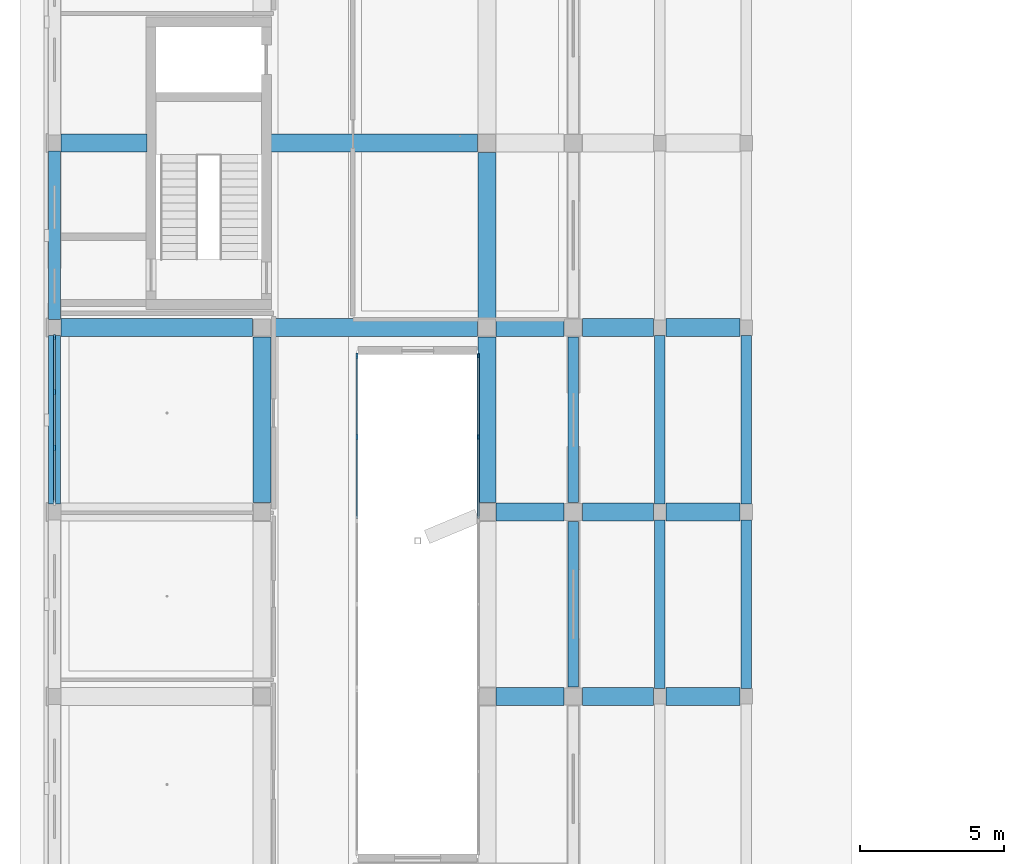
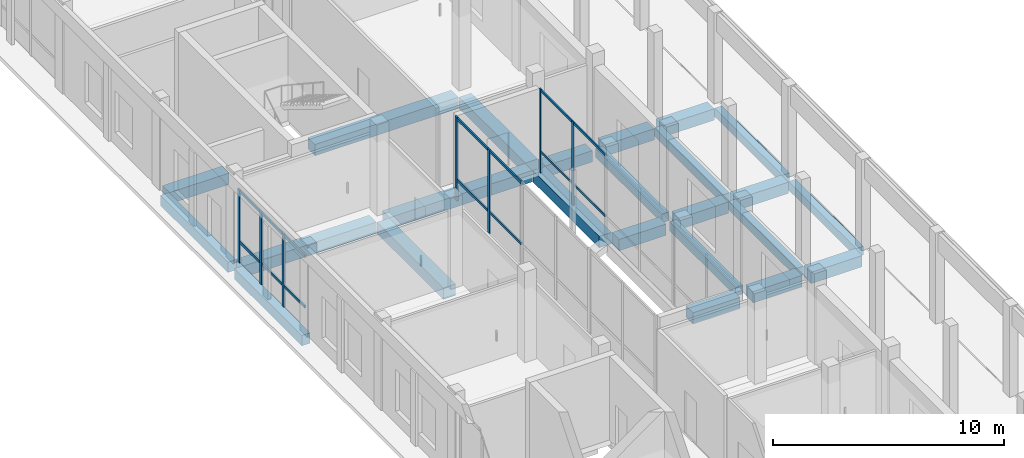
# One storey, part 20 of 88: 24 beams, 13 members, 3 elements without a shape of their own.
"""IFC4 building model written with IfcOpenShell, lengths in metres."""

from ifc_helpers import new_model, si_unit, derived_unit, direction, frame, origin, origin_2d, place, context, subcontext, project, spatial, rectangle, extrude, material, material_profile, profile_set, type_object, element, aggregate, save


model = new_model("IFC4")

# Units and contexts
model_context = context("Model", 3, precision=1e-05, world=origin(), true_north=direction((0.0, 1.0)))
body_context = subcontext(model_context, "Body", "Model", "MODEL_VIEW")
ifc_project = project(units=[si_unit("LENGTHUNIT", "METRE"), si_unit("AREAUNIT", "SQUARE_METRE"), si_unit("VOLUMEUNIT", "CUBIC_METRE"), si_unit("PLANEANGLEUNIT", "RADIAN"), si_unit("MASSUNIT", "GRAM", prefix="KILO"), derived_unit("THERMALTRANSMITTANCEUNIT", [(si_unit("POWERUNIT", "WATT"), 1), (si_unit("LENGTHUNIT", "METRE"), -2), (si_unit("THERMODYNAMICTEMPERATUREUNIT", "KELVIN"), -1)])], contexts=[model_context])

# Site, building, storey
site_placement = place(None, origin())
site = spatial("IfcSite", under=ifc_project, at=site_placement, CompositionType="ELEMENT")
building_placement = place(site_placement, origin())
building = spatial("IfcBuilding", under=site, at=building_placement, Name="Braskholm Square Health Centre", CompositionType="ELEMENT")
storey_placement = place(building_placement, origin())
storey = spatial("IfcBuildingStorey", under=building, at=storey_placement, Name="L01", CompositionType="ELEMENT", Elevation=0.0)

# Curtain wall, members
ifc_material_1 = material(Name="Low-E triple insulating glass (VLT 0.64)", Category="glass")
curtain_wall_type_1 = type_object("IfcCurtainWallType", Name="UnitisedCurtainWall5400x4400", PredefinedType="NOTDEFINED", material=ifc_material_1)
curtain_wall_1_placement = place(storey_placement, origin())
curtain_wall_1 = element("IfcCurtainWall", 1, at=curtain_wall_1_placement, inside=storey, type_object=curtain_wall_type_1, Name="WC1 Court E unitised curtain wall CW-L01-0254", PredefinedType="NOTDEFINED")
ifc_material_2 = material(Name="Architectural bronze anodised aluminium", Category="aluminium")
ifc_material_profile_1 = material_profile(ifc_material_2, rectangle(XDim=0.06494140625, YDim=0.14990234375, at=origin_2d()), Name="ALU-65X150")
ifc_profile_set_1 = profile_set([ifc_material_profile_1], Name="Architectural bronze anodised aluminium")
member_type_1 = type_object("IfcMemberType", Name="CurtainWallMullion65x150", PredefinedType="MULLION", material=ifc_profile_set_1)
member_1_placement = place(storey_placement, frame((18.89990234375, 48.025634765625, 0.0), z_axis=(0.0, 0.0, 1.0), x_axis=(1.0, 0.0, 0.0)))
member_1 = element("IfcMember", 2, at=member_1_placement, type_object=member_type_1, Name="CW-L01-0254 vertical mullion 1", PredefinedType="MULLION", context=body_context, shape_type="SweptSolid", body=[
    extrude(rectangle(XDim=0.06494140625, YDim=0.14990234375, at=origin_2d()), origin(), (0.0, 0.0, 1.0), 4.419921875),
])
member_2_placement = place(storey_placement, frame((18.89990234375, 45.198974609375, 0.0), z_axis=(0.0, 0.0, 1.0), x_axis=(1.0, 0.0, 0.0)))
member_2 = element("IfcMember", 3, at=member_2_placement, type_object=member_type_1, Name="CW-L01-0254 vertical mullion 2", PredefinedType="MULLION", context=body_context, shape_type="SweptSolid", body=[
    extrude(rectangle(XDim=0.06494140625, YDim=0.14990234375, at=origin_2d()), origin(), (0.0, 0.0, 1.0), 4.419921875),
])

curtain_wall_type_2 = type_object("IfcCurtainWallType", Name="UnitisedCurtainWall6200x3800", PredefinedType="NOTDEFINED", material=ifc_material_1)
curtain_wall_2_placement = place(storey_placement, origin())
curtain_wall_2 = element("IfcCurtainWall", 4, at=curtain_wall_2_placement, inside=storey, type_object=curtain_wall_type_2, Name="West Storefront unitised curtain wall CW-L01-0003", PredefinedType="NOTDEFINED")
ifc_material_profile_2 = material_profile(ifc_material_2, rectangle(XDim=0.074951171875, YDim=0.179931640625, at=origin_2d()), Name="ALU-75X180")
ifc_profile_set_2 = profile_set([ifc_material_profile_2], Name="Architectural bronze anodised aluminium")
member_type_2 = type_object("IfcMemberType", Name="CurtainWallMullion75x180", PredefinedType="MULLION", material=ifc_profile_set_2)
member_3_placement = place(storey_placement, frame((4.199951171875, 48.675048828125, 0.0), z_axis=(0.0, 0.0, 1.0), x_axis=(1.0, 0.0, 0.0)))
member_3 = element("IfcMember", 5, at=member_3_placement, type_object=member_type_2, Name="CW-L01-0003 vertical mullion 1", PredefinedType="MULLION", context=body_context, shape_type="SweptSolid", body=[
    extrude(rectangle(XDim=0.074951171875, YDim=0.179931640625, at=origin_2d()), origin(), (0.0, 0.0, 1.0), 3.8701171875),
])
member_4_placement = place(storey_placement, frame((4.199951171875, 46.77001953125, 0.0), z_axis=(0.0, 0.0, 1.0), x_axis=(1.0, 0.0, 0.0)))
member_4 = element("IfcMember", 6, at=member_4_placement, type_object=member_type_2, Name="CW-L01-0003 vertical mullion 2", PredefinedType="MULLION", context=body_context, shape_type="SweptSolid", body=[
    extrude(rectangle(XDim=0.074951171875, YDim=0.179931640625, at=origin_2d()), origin(), (0.0, 0.0, 1.0), 3.8701171875),
])
member_5_placement = place(storey_placement, frame((4.199951171875, 44.830078125, 0.0), z_axis=(0.0, 0.0, 1.0), x_axis=(1.0, 0.0, 0.0)))
member_5 = element("IfcMember", 7, at=member_5_placement, type_object=member_type_2, Name="CW-L01-0003 vertical mullion 3", PredefinedType="MULLION", context=body_context, shape_type="SweptSolid", body=[
    extrude(rectangle(XDim=0.074951171875, YDim=0.179931640625, at=origin_2d()), origin(), (0.0, 0.0, 1.0), 3.8701171875),
])

curtain_wall_3_placement = place(storey_placement, origin())
curtain_wall_3 = element("IfcCurtainWall", 8, at=curtain_wall_3_placement, inside=storey, type_object=curtain_wall_type_1, Name="WC1 Court W unitised curtain wall CW-L01-0253", PredefinedType="NOTDEFINED")
member_6_placement = place(storey_placement, frame((14.699951171875, 45.198974609375, 0.0), z_axis=(0.0, 0.0, 1.0), x_axis=(1.0, 0.0, 0.0)))
member_6 = element("IfcMember", 9, at=member_6_placement, type_object=member_type_2, Name="CW-L01-0253 vertical mullion 2", PredefinedType="MULLION", context=body_context, shape_type="SweptSolid", body=[
    extrude(rectangle(XDim=0.074951171875, YDim=0.179931640625, at=origin_2d()), origin(), (0.0, 0.0, 1.0), 4.419921875),
])
member_7_placement = place(storey_placement, frame((14.699951171875, 48.025634765625, 0.0), z_axis=(0.0, 0.0, 1.0), x_axis=(1.0, 0.0, 0.0)))
member_7 = element("IfcMember", 10, at=member_7_placement, type_object=member_type_2, Name="CW-L01-0253 vertical mullion 3", PredefinedType="MULLION", context=body_context, shape_type="SweptSolid", body=[
    extrude(rectangle(XDim=0.074951171875, YDim=0.179931640625, at=origin_2d()), origin(), (0.0, 0.0, 1.0), 4.419921875),
])

# Member
ifc_material_profile_3 = material_profile(ifc_material_2, rectangle(XDim=0.06494140625, YDim=0.1201171875, at=origin_2d()), Name="ALU-65X120")
ifc_profile_set_3 = profile_set([ifc_material_profile_3], Name="Architectural bronze anodised aluminium")
member_type_3 = type_object("IfcMemberType", Name="CurtainWallTransom65x120", PredefinedType="USERDEFINED", material=ifc_profile_set_3)
member_8_placement = place(storey_placement, frame((18.89990234375, 48.014892578125, 1.1201171875), z_axis=(0.0, -1.0, 0.0), x_axis=(1.0, 0.0, 0.0)))
member_8 = element("IfcMember", 11, at=member_8_placement, type_object=member_type_3, Name="CW-L01-0254 horizontal transom 1", ObjectType="TRANSOM", PredefinedType="USERDEFINED", context=body_context, shape_type="SweptSolid", body=[
    extrude(rectangle(XDim=0.06494140625, YDim=0.1201171875, at=origin_2d()), origin(), (0.0, 0.0, 1.0), 5.6318359375),
])

member_9_placement = place(storey_placement, frame((18.89990234375, 48.014892578125, 4.35009765625), z_axis=(0.0, -1.0, 0.0), x_axis=(1.0, 0.0, 0.0)))
member_9 = element("IfcMember", 12, at=member_9_placement, type_object=member_type_3, Name="CW-L01-0254 horizontal transom 2", ObjectType="TRANSOM", PredefinedType="USERDEFINED", context=body_context, shape_type="SweptSolid", body=[
    extrude(rectangle(XDim=0.06494140625, YDim=0.1201171875, at=origin_2d()), origin(), (0.0, 0.0, 1.0), 5.6318359375),
])

aggregate(curtain_wall_1, [member_1, member_2, member_8, member_9])

ifc_material_profile_4 = material_profile(ifc_material_2, rectangle(XDim=0.074951171875, YDim=0.139892578125, at=origin_2d()), Name="ALU-75X140")
ifc_profile_set_4 = profile_set([ifc_material_profile_4], Name="Architectural bronze anodised aluminium")
member_type_4 = type_object("IfcMemberType", Name="CurtainWallTransom75x140", PredefinedType="USERDEFINED", material=ifc_profile_set_4)
member_10_placement = place(storey_placement, frame((4.199951171875, 48.6650390625, 1.1201171875), z_axis=(0.0, -1.0, 0.0), x_axis=(1.0, 0.0, 0.0)))
member_10 = element("IfcMember", 13, at=member_10_placement, type_object=member_type_4, Name="CW-L01-0003 horizontal transom 1", ObjectType="TRANSOM", PredefinedType="USERDEFINED", context=body_context, shape_type="SweptSolid", body=[
    extrude(rectangle(XDim=0.074951171875, YDim=0.139892578125, at=origin_2d()), origin(), (0.0, 0.0, 1.0), 5.72998046875),
])

member_11_placement = place(storey_placement, frame((4.199951171875, 48.6650390625, 3.800048828125), z_axis=(0.0, -1.0, 0.0), x_axis=(1.0, 0.0, 0.0)))
member_11 = element("IfcMember", 14, at=member_11_placement, type_object=member_type_4, Name="CW-L01-0003 horizontal transom 2", ObjectType="TRANSOM", PredefinedType="USERDEFINED", context=body_context, shape_type="SweptSolid", body=[
    extrude(rectangle(XDim=0.074951171875, YDim=0.139892578125, at=origin_2d()), origin(), (0.0, 0.0, 1.0), 5.72998046875),
])

aggregate(curtain_wall_2, [member_3, member_4, member_5, member_10, member_11])

member_12_placement = place(storey_placement, frame((14.699951171875, 42.383056640625, 1.1201171875), z_axis=(0.0, 1.0, 0.0), x_axis=(-1.0, 0.0, 0.0)))
member_12 = element("IfcMember", 15, at=member_12_placement, type_object=member_type_4, Name="CW-L01-0253 horizontal transom 1", ObjectType="TRANSOM", PredefinedType="USERDEFINED", context=body_context, shape_type="SweptSolid", body=[
    extrude(rectangle(XDim=0.074951171875, YDim=0.139892578125, at=origin_2d()), origin(), (0.0, 0.0, 1.0), 5.6318359375),
])

member_13_placement = place(storey_placement, frame((14.699951171875, 42.383056640625, 4.35009765625), z_axis=(0.0, 1.0, 0.0), x_axis=(-1.0, 0.0, 0.0)))
member_13 = element("IfcMember", 16, at=member_13_placement, type_object=member_type_4, Name="CW-L01-0253 horizontal transom 2", ObjectType="TRANSOM", PredefinedType="USERDEFINED", context=body_context, shape_type="SweptSolid", body=[
    extrude(rectangle(XDim=0.074951171875, YDim=0.139892578125, at=origin_2d()), origin(), (0.0, 0.0, 1.0), 5.6318359375),
])

aggregate(curtain_wall_3, [member_6, member_7, member_12, member_13])

# Beams
ifc_material_3 = material(Name="Concrete C40/50 (f'c = 40 MPa)", Category="concrete")
ifc_material_profile_5 = material_profile(ifc_material_3, rectangle(XDim=0.6201171875, YDim=0.60009765625, at=origin_2d()), Name="RCB-620X600")
ifc_profile_set_5 = profile_set([ifc_material_profile_5], Name="Concrete C40/50 (f'c = 40 MPa)")
beam_type_1 = type_object("IfcBeamType", Name="PrimarySubstructureBeam620x600", PredefinedType="BEAM", material=ifc_profile_set_5)
for number, where, z_axis, x_axis, name in (
    (17, (11.39990234375, 42.925048828125, -0.60009765625), (0.0, 1.0, 0.0), (-1.0, 0.0, 0.0), "Beam 2/G-H L01"),
    (18, (19.199951171875, 42.925048828125, -0.60009765625), (0.0, 1.0, 0.0), (-1.0, 0.0, 0.0), "Beam 3/G-H L01"),
    (19, (19.199951171875, 49.324951171875, -0.60009765625), (0.0, 1.0, 0.0), (-1.0, 0.0, 0.0), "Beam 3/H-J L01"),
):
    element("IfcBeam", number, at=place(storey_placement, frame(where, z_axis=z_axis, x_axis=x_axis)), inside=storey, type_object=beam_type_1, Name=name, PredefinedType="BEAM", context=body_context, shape_type="SweptSolid", body=[
        extrude(rectangle(XDim=0.6201171875, YDim=0.60009765625, at=origin_2d()), origin(), (0.0, 0.0, 1.0), 5.75),
    ])
beam_1_placement = place(storey_placement, frame((19.52490234375, 36.199951171875, -0.60009765625), z_axis=(1.0, 0.0, 0.0), x_axis=(0.0, 1.0, 0.0)))
element("IfcBeam", 20, at=beam_1_placement, inside=storey, type_object=beam_type_1, Name="Beam 3-4/F L01", PredefinedType="BEAM", context=body_context, shape_type="SweptSolid", body=[
    extrude(rectangle(XDim=0.6201171875, YDim=0.60009765625, at=origin_2d()), origin(), (0.0, 0.0, 1.0), 2.35009765625),
])
beam_2_placement = place(storey_placement, frame((22.52490234375, 36.199951171875, -0.52490234375), z_axis=(1.0, 0.0, 0.0), x_axis=(0.0, 1.0, 0.0)))
element("IfcBeam", 21, at=beam_2_placement, inside=storey, type_object=beam_type_1, Name="Beam 4-5/F L01", PredefinedType="BEAM", context=body_context, shape_type="SweptSolid", body=[
    extrude(rectangle(XDim=0.6201171875, YDim=0.60009765625, at=origin_2d()), origin(), (0.0, 0.0, 1.0), 2.455078125),
])
beam_3_placement = place(storey_placement, frame((25.419921875, 36.199951171875, -0.52490234375), z_axis=(1.0, 0.0, 0.0), x_axis=(0.0, 1.0, 0.0)))
element("IfcBeam", 22, at=beam_3_placement, inside=storey, type_object=beam_type_1, Name="Beam 5-6/F L01", PredefinedType="BEAM", context=body_context, shape_type="SweptSolid", body=[
    extrude(rectangle(XDim=0.6201171875, YDim=0.60009765625, at=origin_2d()), origin(), (0.0, 0.0, 1.0), 2.56005859375),
])
beam_4_placement = place(storey_placement, frame((19.52490234375, 42.60009765625, -0.60009765625), z_axis=(1.0, 0.0, 0.0), x_axis=(0.0, 1.0, 0.0)))
element("IfcBeam", 23, at=beam_4_placement, inside=storey, type_object=beam_type_1, Name="Beam 3-4/G L01", PredefinedType="BEAM", context=body_context, shape_type="SweptSolid", body=[
    extrude(rectangle(XDim=0.6201171875, YDim=0.60009765625, at=origin_2d()), origin(), (0.0, 0.0, 1.0), 2.35009765625),
])
beam_5_placement = place(storey_placement, frame((22.52490234375, 42.60009765625, -0.52490234375), z_axis=(1.0, 0.0, 0.0), x_axis=(0.0, 1.0, 0.0)))
element("IfcBeam", 24, at=beam_5_placement, inside=storey, type_object=beam_type_1, Name="Beam 4-5/G L01", PredefinedType="BEAM", context=body_context, shape_type="SweptSolid", body=[
    extrude(rectangle(XDim=0.6201171875, YDim=0.60009765625, at=origin_2d()), origin(), (0.0, 0.0, 1.0), 2.455078125),
])
beam_6_placement = place(storey_placement, frame((25.419921875, 42.60009765625, -0.52490234375), z_axis=(1.0, 0.0, 0.0), x_axis=(0.0, 1.0, 0.0)))
element("IfcBeam", 25, at=beam_6_placement, inside=storey, type_object=beam_type_1, Name="Beam 5-6/G L01", PredefinedType="BEAM", context=body_context, shape_type="SweptSolid", body=[
    extrude(rectangle(XDim=0.6201171875, YDim=0.60009765625, at=origin_2d()), origin(), (0.0, 0.0, 1.0), 2.56005859375),
])
beam_7_placement = place(storey_placement, frame((4.429931640625, 49.0, -0.60009765625), z_axis=(1.0, 0.0, 0.0), x_axis=(0.0, 1.0, 0.0)))
element("IfcBeam", 26, at=beam_7_placement, inside=storey, type_object=beam_type_1, Name="Beam 1-2/H L01", PredefinedType="BEAM", context=body_context, shape_type="SweptSolid", body=[
    extrude(rectangle(XDim=0.6201171875, YDim=0.60009765625, at=origin_2d()), origin(), (0.0, 0.0, 1.0), 6.64501953125),
])
beam_8_placement = place(storey_placement, frame((11.72509765625, 49.0, -0.60009765625), z_axis=(1.0, 0.0, 0.0), x_axis=(0.0, 1.0, 0.0)))
element("IfcBeam", 27, at=beam_8_placement, inside=storey, type_object=beam_type_1, Name="Beam 2-3/H L01", PredefinedType="BEAM", context=body_context, shape_type="SweptSolid", body=[
    extrude(rectangle(XDim=0.6201171875, YDim=0.60009765625, at=origin_2d()), origin(), (0.0, 0.0, 1.0), 7.14990234375),
])
beam_9_placement = place(storey_placement, frame((19.52490234375, 49.0, -0.60009765625), z_axis=(1.0, 0.0, 0.0), x_axis=(0.0, 1.0, 0.0)))
element("IfcBeam", 28, at=beam_9_placement, inside=storey, type_object=beam_type_1, Name="Beam 3-4/H L01", PredefinedType="BEAM", context=body_context, shape_type="SweptSolid", body=[
    extrude(rectangle(XDim=0.6201171875, YDim=0.60009765625, at=origin_2d()), origin(), (0.0, 0.0, 1.0), 2.35009765625),
])
beam_10_placement = place(storey_placement, frame((22.52490234375, 49.0, -0.52490234375), z_axis=(1.0, 0.0, 0.0), x_axis=(0.0, 1.0, 0.0)))
element("IfcBeam", 29, at=beam_10_placement, inside=storey, type_object=beam_type_1, Name="Beam 4-5/H L01", PredefinedType="BEAM", context=body_context, shape_type="SweptSolid", body=[
    extrude(rectangle(XDim=0.6201171875, YDim=0.60009765625, at=origin_2d()), origin(), (0.0, 0.0, 1.0), 2.455078125),
])
beam_11_placement = place(storey_placement, frame((25.419921875, 49.0, -0.52490234375), z_axis=(1.0, 0.0, 0.0), x_axis=(0.0, 1.0, 0.0)))
element("IfcBeam", 30, at=beam_11_placement, inside=storey, type_object=beam_type_1, Name="Beam 5-6/H L01", PredefinedType="BEAM", context=body_context, shape_type="SweptSolid", body=[
    extrude(rectangle(XDim=0.6201171875, YDim=0.60009765625, at=origin_2d()), origin(), (0.0, 0.0, 1.0), 2.56005859375),
])
beam_12_placement = place(storey_placement, frame((4.429931640625, 55.39990234375, -0.60009765625), z_axis=(1.0, 0.0, 0.0), x_axis=(0.0, 1.0, 0.0)))
element("IfcBeam", 31, at=beam_12_placement, inside=storey, type_object=beam_type_1, Name="Beam 1-3/J L01", PredefinedType="BEAM", context=body_context, shape_type="SweptSolid", body=[
    extrude(rectangle(XDim=0.6201171875, YDim=0.60009765625, at=origin_2d()), origin(), (0.0, 0.0, 1.0), 2.969970703125),
])
beam_13_placement = place(storey_placement, frame((11.699951171875, 55.39990234375, -0.60009765625), z_axis=(1.0, 0.0, 0.0), x_axis=(0.0, 1.0, 0.0)))
element("IfcBeam", 32, at=beam_13_placement, inside=storey, type_object=beam_type_1, Name="Beam 1-3/J L01", PredefinedType="BEAM", context=body_context, shape_type="SweptSolid", body=[
    extrude(rectangle(XDim=0.6201171875, YDim=0.60009765625, at=origin_2d()), origin(), (0.0, 0.0, 1.0), 7.175048828125),
])
ifc_material_4 = material(Name="Precast concrete C40/50 architectural white", Category="concrete")
ifc_material_profile_6 = material_profile(ifc_material_4, rectangle(XDim=0.419921875, YDim=0.550048828125, at=origin_2d()), Name="RCB-420X550")
ifc_profile_set_6 = profile_set([ifc_material_profile_6], Name="Precast concrete C40/50 architectural white")
beam_type_2 = type_object("IfcBeamType", Name="SpandrelPrecastLedge420x550", PredefinedType="SPANDREL", material=ifc_profile_set_6)
for number, where, z_axis, x_axis, name in (
    (33, (4.199951171875, 42.8798828125, -0.574951171875), (0.0, 1.0, 0.0), (-1.0, 0.0, 0.0), "Beam 1/G-H L01"),
    (34, (4.199951171875, 49.280029296875, -0.574951171875), (0.0, 1.0, 0.0), (-1.0, 0.0, 0.0), "Beam 1/H-J L01"),
):
    element("IfcBeam", number, at=place(storey_placement, frame(where, z_axis=z_axis, x_axis=x_axis)), inside=storey, type_object=beam_type_2, Name=name, PredefinedType="SPANDREL", context=body_context, shape_type="SweptSolid", body=[
        extrude(rectangle(XDim=0.419921875, YDim=0.550048828125, at=origin_2d()), origin(), (0.0, 0.0, 1.0), 5.840087890625),
    ])
ifc_material_profile_7 = material_profile(ifc_material_4, rectangle(XDim=0.360107421875, YDim=0.4599609375, at=origin_2d()), Name="RCB-360X460")
ifc_profile_set_7 = profile_set([ifc_material_profile_7], Name="Precast concrete C40/50 architectural white")
beam_type_3 = type_object("IfcBeamType", Name="SpandrelTerraceEdge360x460", PredefinedType="SPANDREL", material=ifc_profile_set_7)
for number, where, z_axis, x_axis, name in (
    (35, (22.199951171875, 36.52490234375, -0.455078125), (0.0, 1.0, 0.0), (-1.0, 0.0, 0.0), "Beam 4/F-G L01"),
    (36, (22.199951171875, 42.925048828125, -0.455078125), (0.0, 1.0, 0.0), (-1.0, 0.0, 0.0), "Beam 4/G-H L01"),
):
    element("IfcBeam", number, at=place(storey_placement, frame(where, z_axis=z_axis, x_axis=x_axis)), inside=storey, type_object=beam_type_3, Name=name, PredefinedType="SPANDREL", context=body_context, shape_type="SweptSolid", body=[
        extrude(rectangle(XDim=0.360107421875, YDim=0.4599609375, at=origin_2d()), origin(), (0.0, 0.0, 1.0), 5.75),
    ])
beam_14_placement = place(storey_placement, frame((25.199951171875, 36.469970703125, -0.455078125), z_axis=(0.0, 1.0, 0.0), x_axis=(-1.0, 0.0, 0.0)))
element("IfcBeam", 37, at=beam_14_placement, inside=storey, type_object=beam_type_3, Name="Beam 5/F-G L01", PredefinedType="SPANDREL", context=body_context, shape_type="SweptSolid", body=[
    extrude(rectangle(XDim=0.360107421875, YDim=0.4599609375, at=origin_2d()), origin(), (0.0, 0.0, 1.0), 5.860107421875),
])
beam_15_placement = place(storey_placement, frame((25.199951171875, 42.8701171875, -0.455078125), z_axis=(0.0, 1.0, 0.0), x_axis=(-1.0, 0.0, 0.0)))
element("IfcBeam", 38, at=beam_15_placement, inside=storey, type_object=beam_type_3, Name="Beam 5/G-H L01", PredefinedType="SPANDREL", context=body_context, shape_type="SweptSolid", body=[
    extrude(rectangle(XDim=0.360107421875, YDim=0.4599609375, at=origin_2d()), origin(), (0.0, 0.0, 1.0), 5.85986328125),
])
beam_16_placement = place(storey_placement, frame((28.199951171875, 36.469970703125, -0.455078125), z_axis=(0.0, 1.0, 0.0), x_axis=(-1.0, 0.0, 0.0)))
element("IfcBeam", 39, at=beam_16_placement, inside=storey, type_object=beam_type_3, Name="Beam 6/F-G L01", PredefinedType="SPANDREL", context=body_context, shape_type="SweptSolid", body=[
    extrude(rectangle(XDim=0.360107421875, YDim=0.4599609375, at=origin_2d()), origin(), (0.0, 0.0, 1.0), 5.860107421875),
])
beam_17_placement = place(storey_placement, frame((28.199951171875, 42.8701171875, -0.455078125), z_axis=(0.0, 1.0, 0.0), x_axis=(-1.0, 0.0, 0.0)))
element("IfcBeam", 40, at=beam_17_placement, inside=storey, type_object=beam_type_3, Name="Beam 6/G-H L01", PredefinedType="SPANDREL", context=body_context, shape_type="SweptSolid", body=[
    extrude(rectangle(XDim=0.360107421875, YDim=0.4599609375, at=origin_2d()), origin(), (0.0, 0.0, 1.0), 5.85986328125),
])

save(model, "model.ifc")
